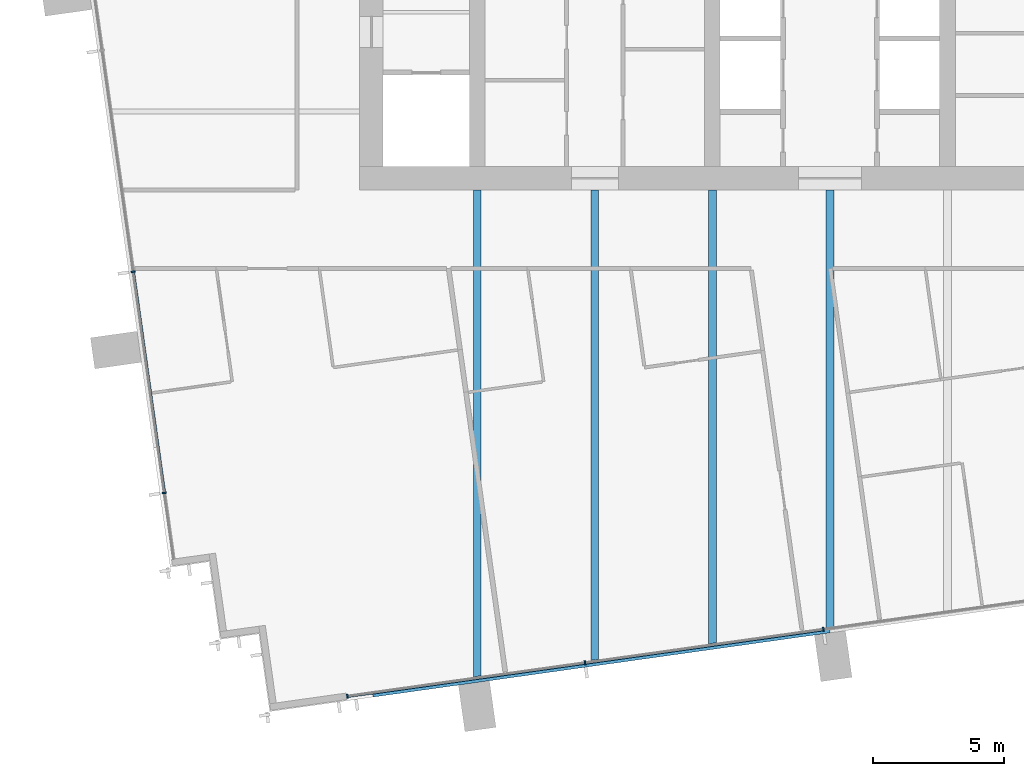
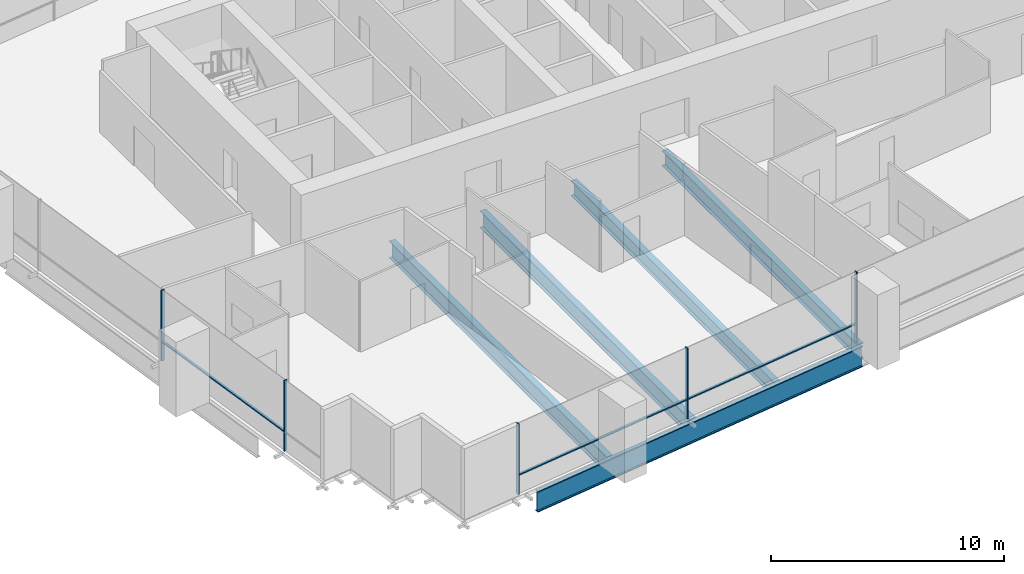
# One storey, part 2 of 14: 8 members, 5 beams, 2 elements without a shape of their own.
"""IFC4 building model written with IfcOpenShell, lengths in metres."""

from ifc_helpers import new_model, si_unit, direction, frame, origin, origin_2d, place, context, subcontext, project, spatial, rectangle, i_section, extrude, material, material_profile, profile_set, type_object, element, aggregate, save


model = new_model("IFC4")

# Units and contexts
model_context = context("Model", 3, precision=1e-05, world=origin(), true_north=direction((0.0, 1.0)))
body_context = subcontext(model_context, "Body", "Model", "MODEL_VIEW")
ifc_project = project(units=[si_unit("LENGTHUNIT", "METRE"), si_unit("AREAUNIT", "SQUARE_METRE"), si_unit("VOLUMEUNIT", "CUBIC_METRE"), si_unit("PLANEANGLEUNIT", "RADIAN"), si_unit("MASSUNIT", "GRAM", prefix="KILO")], contexts=[model_context])

# Site, building, storey
site_placement = place(None, origin())
site = spatial("IfcSite", under=ifc_project, at=site_placement, CompositionType="ELEMENT")
building_placement = place(site_placement, origin())
building = spatial("IfcBuilding", under=site, at=building_placement, Name="Rattan Terrace Tower", CompositionType="ELEMENT")
storey_placement = place(building_placement, frame((0.0, 0.0, 172.39990234375)))
storey = spatial("IfcBuildingStorey", under=building, at=storey_placement, Name="L39", CompositionType="ELEMENT", Elevation=172.39990234375)

# Curtain wall, members
ifc_material_1 = material(Name="Aluminium and glass", Category="aluminium")
curtain_wall_type = type_object("IfcCurtainWallType", Name="Facade Unitised Curtain Wall", PredefinedType="NOTDEFINED", material=ifc_material_1)
curtain_wall_1_placement = place(storey_placement, origin())
curtain_wall_1 = element("IfcCurtainWall", 1, at=curtain_wall_1_placement, inside=storey, type_object=curtain_wall_type, Name="Curtain wall L39-3", PredefinedType="NOTDEFINED")
ifc_material_2 = material(Name="Aluminium", Category="aluminium")
ifc_material_profile_1 = material_profile(ifc_material_2, rectangle(XDim=0.06005859375, YDim=0.159912109375, at=origin_2d()), Name="Aluminium 60x160")
ifc_profile_set_1 = profile_set([ifc_material_profile_1], Name="Aluminium")
member_type_1 = type_object("IfcMemberType", Name="Facade CW Mullion 60x160", PredefinedType="MULLION", material=ifc_profile_set_1)
member_1_placement = place(storey_placement, frame((-26.66748046875, -10.6259765625, 0.0), z_axis=(0.0, 0.0, 1.0), x_axis=(0.139190856006, -0.99026557327, 0.0)))
member_1 = element("IfcMember", 2, at=member_1_placement, type_object=member_type_1, Name="Mullion cwl-L39-003.3", PredefinedType="MULLION", context=body_context, shape_type="SweptSolid", body=[
    extrude(rectangle(XDim=0.06005859375, YDim=0.159912109375, at=origin_2d()), origin(), (0.0, 0.0, 1.0), 3.7001953125),
])
member_2_placement = place(storey_placement, frame((-25.477294921875, -19.092529296875, 0.0), z_axis=(0.0, 0.0, 1.0), x_axis=(0.139190856006, -0.99026557327, 0.0)))
member_2 = element("IfcMember", 3, at=member_2_placement, type_object=member_type_1, Name="Mullion cwl-L39-003.4", PredefinedType="MULLION", context=body_context, shape_type="SweptSolid", body=[
    extrude(rectangle(XDim=0.06005859375, YDim=0.159912109375, at=origin_2d()), origin(), (0.0, 0.0, 1.0), 3.7001953125),
])

curtain_wall_2_placement = place(storey_placement, origin())
curtain_wall_2 = element("IfcCurtainWall", 4, at=curtain_wall_2_placement, inside=storey, type_object=curtain_wall_type, Name="Curtain wall L39-4", PredefinedType="NOTDEFINED")
member_3_placement = place(storey_placement, frame((-18.467041015625, -26.87255859375, 0.0), z_axis=(0.0, 0.0, 1.0), x_axis=(0.990269702686, 0.139161474347, 0.0)))
member_3 = element("IfcMember", 5, at=member_3_placement, type_object=member_type_1, Name="Mullion cwl-L39-004.1", PredefinedType="MULLION", context=body_context, shape_type="SweptSolid", body=[
    extrude(rectangle(XDim=0.06005859375, YDim=0.159912109375, at=origin_2d()), origin(), (0.0, 0.0, 1.0), 3.7001953125),
])
member_4_placement = place(storey_placement, frame((-9.373291015625, -25.594482421875, 0.0), z_axis=(0.0, 0.0, 1.0), x_axis=(0.990269702686, 0.139161474347, 0.0)))
member_4 = element("IfcMember", 6, at=member_4_placement, type_object=member_type_1, Name="Mullion cwl-L39-004.2", PredefinedType="MULLION", context=body_context, shape_type="SweptSolid", body=[
    extrude(rectangle(XDim=0.06005859375, YDim=0.159912109375, at=origin_2d()), origin(), (0.0, 0.0, 1.0), 3.7001953125),
])
member_5_placement = place(storey_placement, frame((-0.25, -24.3125, 0.0), z_axis=(0.0, 0.0, 1.0), x_axis=(0.990269702686, 0.139161474347, 0.0)))
member_5 = element("IfcMember", 7, at=member_5_placement, type_object=member_type_1, Name="Mullion cwl-L39-004.3", PredefinedType="MULLION", context=body_context, shape_type="SweptSolid", body=[
    extrude(rectangle(XDim=0.06005859375, YDim=0.159912109375, at=origin_2d()), origin(), (0.0, 0.0, 1.0), 3.7001953125),
])

# Member
ifc_material_3 = material(Name="Aluminium", Category="aluminium")
ifc_material_profile_2 = material_profile(ifc_material_3, rectangle(XDim=0.1201171875, YDim=0.06005859375, at=origin_2d()), Name="Aluminium 120x60")
ifc_profile_set_2 = profile_set([ifc_material_profile_2], Name="Aluminium")
member_type_2 = type_object("IfcMemberType", Name="Facade CW Transom 120x60", PredefinedType="USERDEFINED", material=ifc_profile_set_2)
member_6_placement = place(storey_placement, frame((-26.663330078125, -10.655517578125, 1.0), z_axis=(0.139178607515, -0.99026729483, 0.0), x_axis=(0.99026729483, 0.139178607515, 0.0)))
member_6 = element("IfcMember", 8, at=member_6_placement, type_object=member_type_2, Name="Transom cwl-L39-003.3", ObjectType="TRANSOM", PredefinedType="USERDEFINED", context=body_context, shape_type="SweptSolid", body=[
    extrude(rectangle(XDim=0.1201171875, YDim=0.06005859375, at=origin_2d()), origin(), (0.0, 0.0, 1.0), 8.489990234375),
])

aggregate(curtain_wall_1, [member_1, member_2, member_6])

member_7_placement = place(storey_placement, frame((-18.437255859375, -26.868408203125, 1.0), z_axis=(0.990266494002, 0.139184305354, 0.0), x_axis=(-0.139184305354, 0.990266494002, 0.0)))
member_7 = element("IfcMember", 9, at=member_7_placement, type_object=member_type_2, Name="Transom cwl-L39-004.1", ObjectType="TRANSOM", PredefinedType="USERDEFINED", context=body_context, shape_type="SweptSolid", body=[
    extrude(rectangle(XDim=0.1201171875, YDim=0.06005859375, at=origin_2d()), origin(), (0.0, 0.0, 1.0), 9.123046875),
])

member_8_placement = place(storey_placement, frame((-9.343505859375, -25.59033203125, 1.0), z_axis=(0.990270711765, 0.139154293575, 0.0), x_axis=(-0.139154293575, 0.990270711765, 0.0)))
member_8 = element("IfcMember", 10, at=member_8_placement, type_object=member_type_2, Name="Transom cwl-L39-004.2", ObjectType="TRANSOM", PredefinedType="USERDEFINED", context=body_context, shape_type="SweptSolid", body=[
    extrude(rectangle(XDim=0.1201171875, YDim=0.06005859375, at=origin_2d()), origin(), (0.0, 0.0, 1.0), 9.153076171875),
])

aggregate(curtain_wall_2, [member_3, member_4, member_5, member_7, member_8])

# Beams
ifc_material_4 = material(Name="Steel S460", Category="steel")
ifc_material_profile_3 = material_profile(ifc_material_4, i_section(OverallWidth=0.179931640625, OverallDepth=1.10009765625, WebThickness=0.01611328125, FlangeThickness=0.050048828125, at=origin_2d()), Name="PG 1100x180-16-50")
ifc_profile_set_3 = profile_set([ifc_material_profile_3], Name="Steel S460")
beam_type_1 = type_object("IfcBeamType", Name="Frame edge girder PG 1100x180-16-50", PredefinedType="SPANDREL", material=ifc_profile_set_3)
beam_1_placement = place(storey_placement, frame((-17.4990234375, -26.818115234375, -0.75), z_axis=(0.990264173921, 0.139200811234, 0.0), x_axis=(-0.139200811234, 0.990264173921, 0.0)))
element("IfcBeam", 11, at=beam_1_placement, inside=storey, type_object=beam_type_1, Name="gdr-L39-001", PredefinedType="SPANDREL", context=body_context, shape_type="SweptSolid", body=[
    extrude(i_section(OverallWidth=0.179931640625, OverallDepth=1.10009765625, WebThickness=0.01611328125, FlangeThickness=0.050048828125, at=origin_2d()), origin(), (0.0, 0.0, 1.0), 17.657958984375),
])
ifc_material_5 = material(Name="Steel S355", Category="steel")
ifc_material_profile_4 = material_profile(ifc_material_5, i_section(OverallWidth=0.300048828125, OverallDepth=0.800048828125, WebThickness=0.017578125, FlangeThickness=0.032958984375, FilletRadius=0.030029296875, at=origin_2d()), Name="HE 800 B")
ifc_profile_set_4 = profile_set([ifc_material_profile_4], Name="Steel S355")
beam_type_2 = type_object("IfcBeamType", Name="Frame floor beam HE 800 B", PredefinedType="JOIST", material=ifc_profile_set_4)
beam_2_placement = place(storey_placement, frame((-4.5, -24.87890625, -0.599853515625), z_axis=(0.0, 1.0, 0.0), x_axis=(-1.0, 0.0, 0.0)))
element("IfcBeam", 12, at=beam_2_placement, inside=storey, type_object=beam_type_2, Name="bm-L39-005", PredefinedType="JOIST", context=body_context, shape_type="SweptSolid", body=[
    extrude(i_section(OverallWidth=0.300048828125, OverallDepth=0.800048828125, WebThickness=0.017578125, FlangeThickness=0.032958984375, FilletRadius=0.030029296875, at=origin_2d()), origin(), (0.0, 0.0, 1.0), 17.37890625),
])
beam_3_placement = place(storey_placement, frame((0.0, -24.24609375, -0.599853515625), z_axis=(0.0, 1.0, 0.0), x_axis=(-1.0, 0.0, 0.0)))
element("IfcBeam", 13, at=beam_3_placement, inside=storey, type_object=beam_type_2, Name="bm-L39-006", PredefinedType="JOIST", context=body_context, shape_type="SweptSolid", body=[
    extrude(i_section(OverallWidth=0.300048828125, OverallDepth=0.800048828125, WebThickness=0.017578125, FlangeThickness=0.032958984375, FilletRadius=0.030029296875, at=origin_2d()), origin(), (0.0, 0.0, 1.0), 16.74609375),
])
ifc_material_6 = material(Name="Steel S355", Category="steel")
ifc_material_profile_5 = material_profile(ifc_material_6, i_section(OverallWidth=0.300048828125, OverallDepth=0.89990234375, WebThickness=0.0185546875, FlangeThickness=0.034912109375, FilletRadius=0.030029296875, at=origin_2d()), Name="HE 900 B")
ifc_profile_set_5 = profile_set([ifc_material_profile_5], Name="Steel S355")
beam_type_3 = type_object("IfcBeamType", Name="Frame floor beam HE 900 B", PredefinedType="JOIST", material=ifc_profile_set_5)
beam_4_placement = place(storey_placement, frame((-13.5, -26.14404296875, -0.64990234375), z_axis=(0.0, 1.0, 0.0), x_axis=(-1.0, 0.0, 0.0)))
element("IfcBeam", 14, at=beam_4_placement, inside=storey, type_object=beam_type_3, Name="bm-L39-003", PredefinedType="JOIST", context=body_context, shape_type="SweptSolid", body=[
    extrude(i_section(OverallWidth=0.300048828125, OverallDepth=0.89990234375, WebThickness=0.0185546875, FlangeThickness=0.034912109375, FilletRadius=0.030029296875, at=origin_2d()), origin(), (0.0, 0.0, 1.0), 18.64404296875),
])
beam_5_placement = place(storey_placement, frame((-9.0, -25.510986328125, -0.64990234375), z_axis=(0.0, 1.0, 0.0), x_axis=(-1.0, 0.0, 0.0)))
element("IfcBeam", 15, at=beam_5_placement, inside=storey, type_object=beam_type_3, Name="bm-L39-004", PredefinedType="JOIST", context=body_context, shape_type="SweptSolid", body=[
    extrude(i_section(OverallWidth=0.300048828125, OverallDepth=0.89990234375, WebThickness=0.0185546875, FlangeThickness=0.034912109375, FilletRadius=0.030029296875, at=origin_2d()), origin(), (0.0, 0.0, 1.0), 18.010986328125),
])

save(model, "model.ifc")
